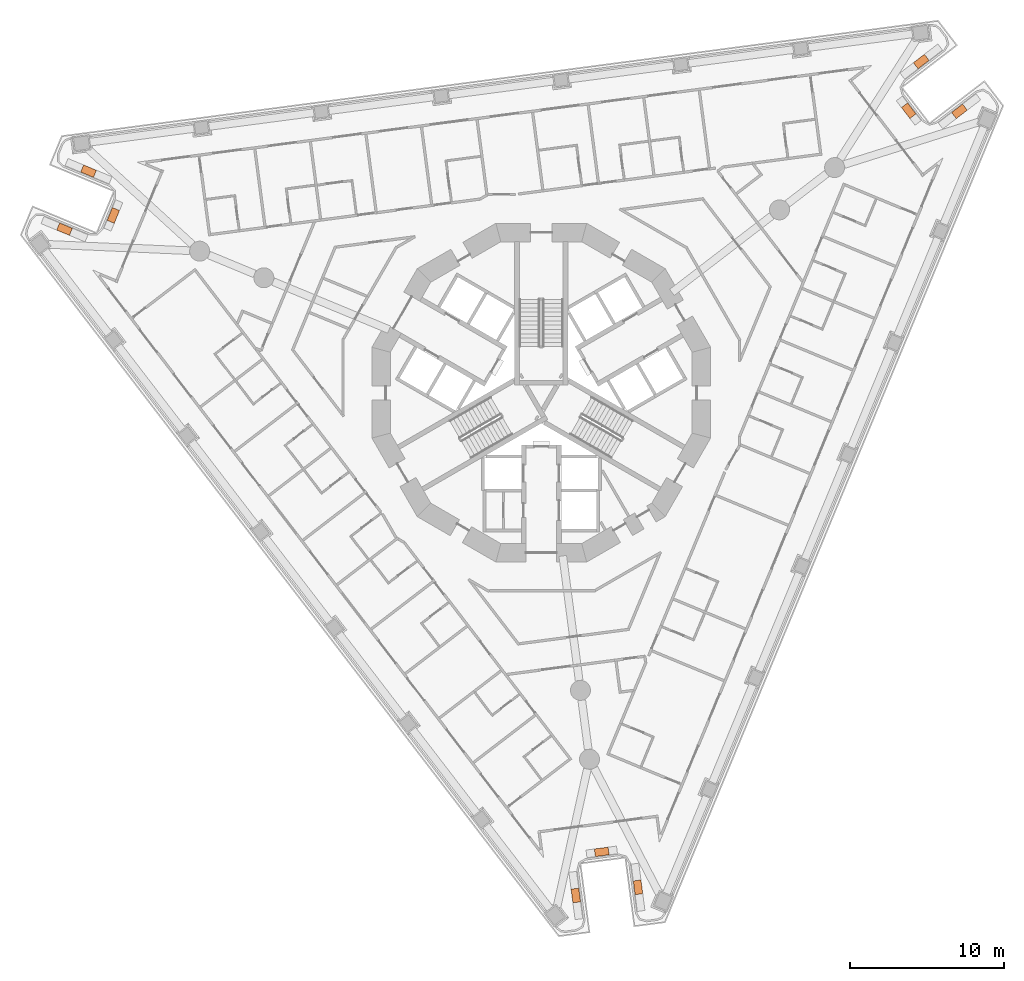
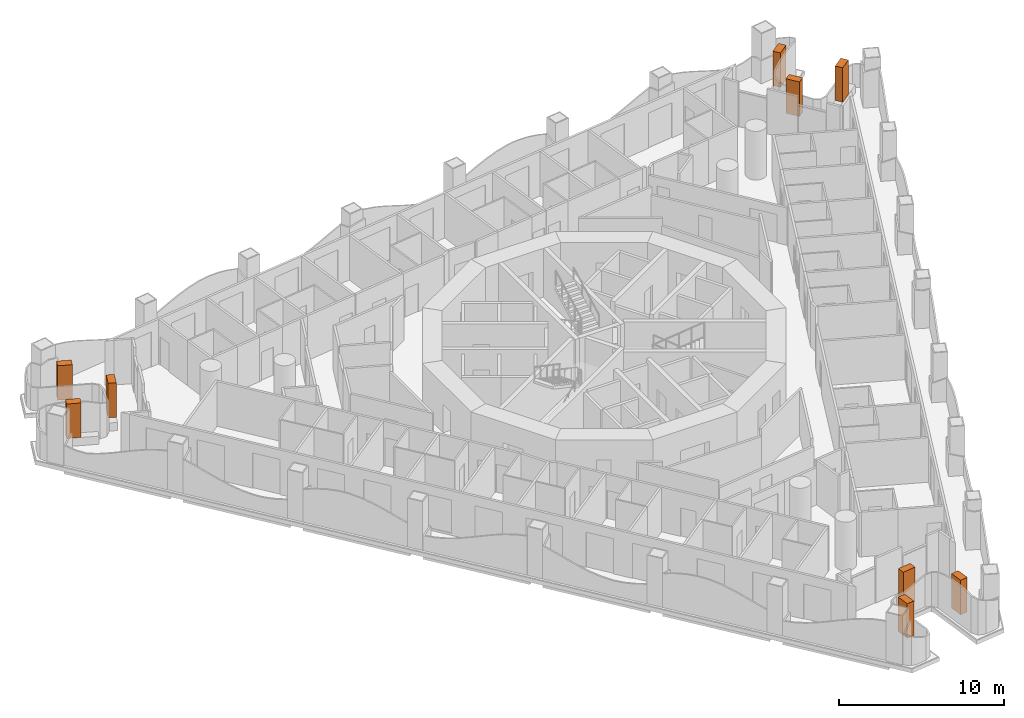
# One storey, part 19 of 19: 9 geographic elements.
"""IFC4 building model written with IfcOpenShell, lengths in metres."""

from ifc_helpers import new_model, si_unit, direction, frame, origin, origin_2d, place, context, subcontext, project, spatial, rectangle, extrude, element, save


model = new_model("IFC4")

# Units and contexts
model_context = context("Model", 3, precision=1e-05, world=origin(), true_north=direction((0.0, 1.0)))
body_context = subcontext(model_context, "Body", "Model", "MODEL_VIEW")
ifc_project = project(units=[si_unit("LENGTHUNIT", "METRE"), si_unit("AREAUNIT", "SQUARE_METRE"), si_unit("VOLUMEUNIT", "CUBIC_METRE"), si_unit("PLANEANGLEUNIT", "RADIAN"), si_unit("MASSUNIT", "GRAM", prefix="KILO")], contexts=[model_context])

# Site, building, storey
site_placement = place(None, origin())
site = spatial("IfcSite", under=ifc_project, at=site_placement, CompositionType="ELEMENT")
building_placement = place(site_placement, origin())
building = spatial("IfcBuilding", under=site, at=building_placement, Name="Trine Commons Tower", CompositionType="ELEMENT")
storey_placement = place(building_placement, frame((0.0, 0.0, 57.60009765625)))
storey = spatial("IfcBuildingStorey", under=building, at=storey_placement, Name="L13", CompositionType="ELEMENT", Elevation=57.60009765625)

# Geographic elements
for number, where, z_axis, x_axis, name in (
    (1, (49.005126953125, 73.13037109375, 0.60009765625), (0.0, 0.0, 1.0), (0.923885543575, -0.382668920052, 0.0), "Tree 1.1"),
    (2, (52.1787109375, 74.02392578125, 0.60009765625), (0.0, 0.0, 1.0), (0.382688269782, 0.923877528773, 0.0), "Tree 2.1"),
    (3, (50.56640625, 76.89990234375, 0.60009765625), (0.0, 0.0, 1.0), (-0.923885543575, 0.382668920052, 0.0), "Tree 3.1"),
    (4, (104.70361328125, 84.027099609375, 0.60009765625), (0.0, 0.0, 1.0), (-0.793358652707, -0.608754505672, 0.0), "Tree 4.1"),
    (5, (103.890625, 80.831787109375, 0.60009765625), (0.0, 0.0, 1.0), (0.608735120081, -0.793373527148, 0.0), "Tree 5.1"),
    (6, (107.187255859375, 80.790283203125, 0.60009765625), (0.0, 0.0, 1.0), (0.793358652707, 0.608754505672, 0.0), "Tree 6.1"),
    (7, (86.291259765625, 30.342529296875, 0.60009765625), (0.0, 0.0, 1.0), (-0.130517540226, 0.991446000392, 0.0), "Tree 7.1"),
    (8, (83.9306640625, 32.64404296875, 0.60009765625), (0.0, 0.0, 1.0), (-0.991442583111, -0.130543496177, 0.0), "Tree 8.1"),
    (9, (82.24609375, 29.81005859375, 0.60009765625), (0.0, 0.0, 1.0), (0.130546956964, -0.991442127422, 0.0), "Tree 9.1"),
):
    element("IfcGeographicElement", number, at=place(storey_placement, frame(where, z_axis=z_axis, x_axis=x_axis)), inside=storey, Name=name, ObjectType="TREE Tabebuia rosea", PredefinedType="USERDEFINED", context=body_context, shape_type="SweptSolid", body=[
        extrude(rectangle(XDim=0.89990234375, YDim=0.5, at=origin_2d()), origin(), (0.0, 0.0, 1.0), 2.550048828125),
    ])

save(model, "model.ifc")
